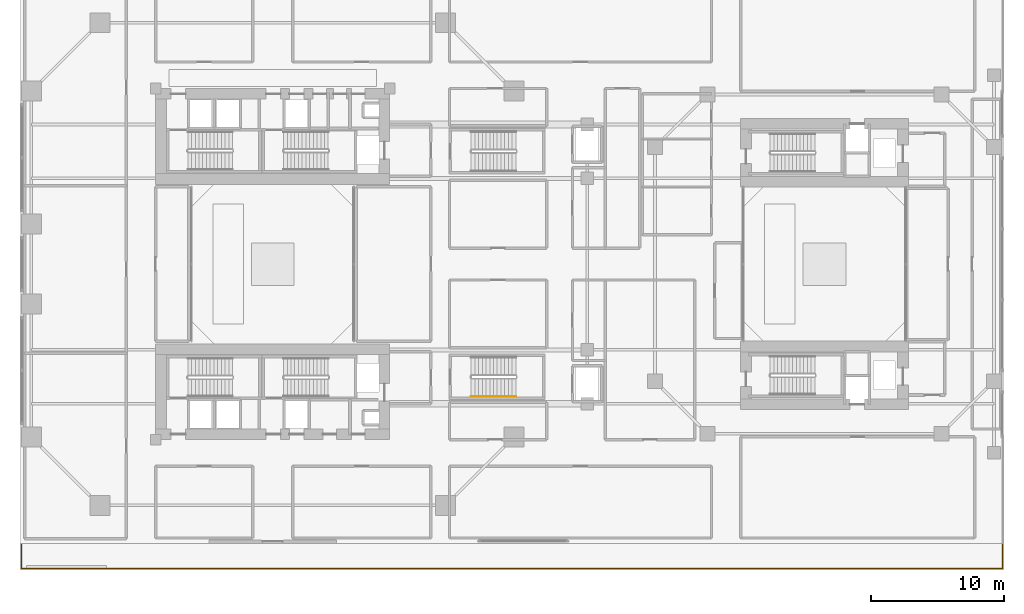
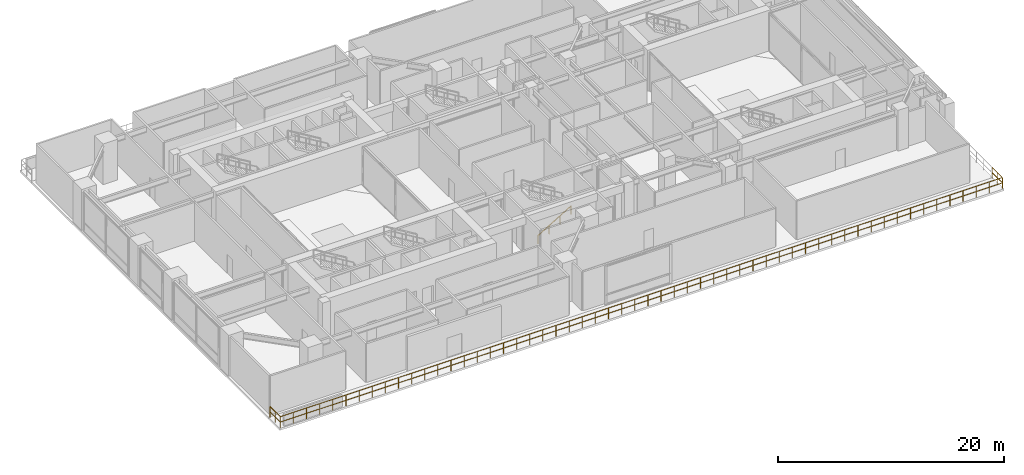
# One storey, part 17 of 19: 2 railings.
"""IFC4 building model written with IfcOpenShell, lengths in metres."""

from ifc_helpers import new_model, si_unit, direction, frame, origin, origin_2d, place, context, subcontext, project, spatial, rectangle, extrude, material, type_object, element, save


model = new_model("IFC4")

# Units and contexts
model_context = context("Model", 3, precision=1e-05, world=origin(), true_north=direction((0.0, 1.0)))
body_context = subcontext(model_context, "Body", "Model", "MODEL_VIEW")
ifc_project = project(units=[si_unit("LENGTHUNIT", "METRE"), si_unit("AREAUNIT", "SQUARE_METRE"), si_unit("VOLUMEUNIT", "CUBIC_METRE"), si_unit("PLANEANGLEUNIT", "RADIAN"), si_unit("MASSUNIT", "GRAM", prefix="KILO"), si_unit("THERMODYNAMICTEMPERATUREUNIT", "KELVIN"), si_unit("POWERUNIT", "WATT")], contexts=[model_context])

# Site, building, storey
site_placement = place(None, origin())
site = spatial("IfcSite", under=ifc_project, at=site_placement, CompositionType="ELEMENT")
building_placement = place(site_placement, origin())
building = spatial("IfcBuilding", under=site, at=building_placement, Name="Qiaomeng Ring Towers", CompositionType="ELEMENT")
storey_placement = place(building_placement, frame((0.0, 0.0, 5.0)))
storey = spatial("IfcBuildingStorey", under=building, at=storey_placement, Name="L01", CompositionType="ELEMENT", Elevation=5.0)

# Railings
ifc_material_1 = material(Name="Low-E pale-green laminated safety glass", Category="glass")
railing_type_1 = type_object("IfcRailingType", Name="ARC-RL-BAL1", PredefinedType="BALUSTRADE", material=ifc_material_1)
railing_1_placement = place(storey_placement, frame((0.10009765625, 1.919921875, 0.0)))
element("IfcRailing", 1, at=railing_1_placement, inside=storey, type_object=railing_type_1, Name="L01 Balustrade ARC-BAL-L01-POD-S", PredefinedType="BALUSTRADE", context=body_context, shape_type="SweptSolid", body=[
    extrude(rectangle(XDim=0.048095703125, YDim=0.048095703125, at=origin_2d()), frame((0.0, 0.0, 1.17578125), z_axis=(0.0, -1.0, 0.0), x_axis=(1.0, 0.0, 0.0)), (0.0, 0.0, 1.0), 1.81982421875),
    extrude(rectangle(XDim=0.048095703125, YDim=0.048095703125, at=origin_2d()), frame((0.0, 0.0, 0.60009765625), z_axis=(0.0, -1.0, 0.0), x_axis=(1.0, 0.0, 0.0)), (0.0, 0.0, 1.0), 1.81982421875),
    extrude(rectangle(XDim=0.048095703125, YDim=0.048095703125, at=origin_2d()), frame((0.0, -1.81982421875, 1.17578125), z_axis=(1.0, 0.0, 0.0), x_axis=(0.0, 1.0, 0.0)), (0.0, 0.0, 1.0), 73.7998046875),
    extrude(rectangle(XDim=0.048095703125, YDim=0.048095703125, at=origin_2d()), frame((0.0, -1.81982421875, 0.60009765625), z_axis=(1.0, 0.0, 0.0), x_axis=(0.0, 1.0, 0.0)), (0.0, 0.0, 1.0), 73.7998046875),
    extrude(rectangle(XDim=0.048095703125, YDim=0.048095703125, at=origin_2d()), frame((73.7998046875, -1.81982421875, 1.17578125), z_axis=(0.0, 1.0, 0.0), x_axis=(-1.0, 0.0, 0.0)), (0.0, 0.0, 1.0), 1.81982421875),
    extrude(rectangle(XDim=0.048095703125, YDim=0.048095703125, at=origin_2d()), frame((73.7998046875, -1.81982421875, 0.60009765625), z_axis=(0.0, 1.0, 0.0), x_axis=(-1.0, 0.0, 0.0)), (0.0, 0.0, 1.0), 1.81982421875),
    extrude(rectangle(XDim=0.0419921875, YDim=0.0419921875, at=origin_2d()), origin(), (0.0, 0.0, 1.0), 1.15185546875),
    extrude(rectangle(XDim=0.0419921875, YDim=0.0419921875, at=origin_2d()), frame((0.0, -0.909912109375, 0.0)), (0.0, 0.0, 1.0), 1.15185546875),
    extrude(rectangle(XDim=0.0419921875, YDim=0.0419921875, at=origin_2d()), frame((0.0, -1.81982421875, 0.0)), (0.0, 0.0, 1.0), 1.15185546875),
    extrude(rectangle(XDim=0.0419921875, YDim=0.0419921875, at=origin_2d()), frame((1.341796875, -1.81982421875, 0.0)), (0.0, 0.0, 1.0), 1.15185546875),
    extrude(rectangle(XDim=0.0419921875, YDim=0.0419921875, at=origin_2d()), frame((2.68359375, -1.81982421875, 0.0)), (0.0, 0.0, 1.0), 1.15185546875),
    extrude(rectangle(XDim=0.0419921875, YDim=0.0419921875, at=origin_2d()), frame((4.025390625, -1.81982421875, 0.0)), (0.0, 0.0, 1.0), 1.15185546875),
    extrude(rectangle(XDim=0.0419921875, YDim=0.0419921875, at=origin_2d()), frame((5.3671875, -1.81982421875, 0.0)), (0.0, 0.0, 1.0), 1.15185546875),
    extrude(rectangle(XDim=0.0419921875, YDim=0.0419921875, at=origin_2d()), frame((6.708984375, -1.81982421875, 0.0)), (0.0, 0.0, 1.0), 1.15185546875),
    extrude(rectangle(XDim=0.0419921875, YDim=0.0419921875, at=origin_2d()), frame((8.05078125, -1.81982421875, 0.0)), (0.0, 0.0, 1.0), 1.15185546875),
    extrude(rectangle(XDim=0.0419921875, YDim=0.0419921875, at=origin_2d()), frame((9.392822265625, -1.81982421875, 0.0)), (0.0, 0.0, 1.0), 1.15185546875),
    extrude(rectangle(XDim=0.0419921875, YDim=0.0419921875, at=origin_2d()), frame((10.734619140625, -1.81982421875, 0.0)), (0.0, 0.0, 1.0), 1.15185546875),
    extrude(rectangle(XDim=0.0419921875, YDim=0.0419921875, at=origin_2d()), frame((12.076416015625, -1.81982421875, 0.0)), (0.0, 0.0, 1.0), 1.15185546875),
    extrude(rectangle(XDim=0.0419921875, YDim=0.0419921875, at=origin_2d()), frame((13.418212890625, -1.81982421875, 0.0)), (0.0, 0.0, 1.0), 1.15185546875),
    extrude(rectangle(XDim=0.0419921875, YDim=0.0419921875, at=origin_2d()), frame((14.760009765625, -1.81982421875, 0.0)), (0.0, 0.0, 1.0), 1.15185546875),
    extrude(rectangle(XDim=0.0419921875, YDim=0.0419921875, at=origin_2d()), frame((16.101806640625, -1.81982421875, 0.0)), (0.0, 0.0, 1.0), 1.15185546875),
    extrude(rectangle(XDim=0.0419921875, YDim=0.0419921875, at=origin_2d()), frame((17.443603515625, -1.81982421875, 0.0)), (0.0, 0.0, 1.0), 1.15185546875),
    extrude(rectangle(XDim=0.0419921875, YDim=0.0419921875, at=origin_2d()), frame((18.785400390625, -1.81982421875, 0.0)), (0.0, 0.0, 1.0), 1.15185546875),
    extrude(rectangle(XDim=0.0419921875, YDim=0.0419921875, at=origin_2d()), frame((20.127197265625, -1.81982421875, 0.0)), (0.0, 0.0, 1.0), 1.15185546875),
    extrude(rectangle(XDim=0.0419921875, YDim=0.0419921875, at=origin_2d()), frame((21.468994140625, -1.81982421875, 0.0)), (0.0, 0.0, 1.0), 1.15185546875),
    extrude(rectangle(XDim=0.0419921875, YDim=0.0419921875, at=origin_2d()), frame((22.810791015625, -1.81982421875, 0.0)), (0.0, 0.0, 1.0), 1.15185546875),
    extrude(rectangle(XDim=0.0419921875, YDim=0.0419921875, at=origin_2d()), frame((24.152587890625, -1.81982421875, 0.0)), (0.0, 0.0, 1.0), 1.15185546875),
    extrude(rectangle(XDim=0.0419921875, YDim=0.0419921875, at=origin_2d()), frame((25.494384765625, -1.81982421875, 0.0)), (0.0, 0.0, 1.0), 1.15185546875),
    extrude(rectangle(XDim=0.0419921875, YDim=0.0419921875, at=origin_2d()), frame((26.836181640625, -1.81982421875, 0.0)), (0.0, 0.0, 1.0), 1.15185546875),
    extrude(rectangle(XDim=0.0419921875, YDim=0.0419921875, at=origin_2d()), frame((28.17822265625, -1.81982421875, 0.0)), (0.0, 0.0, 1.0), 1.15185546875),
    extrude(rectangle(XDim=0.0419921875, YDim=0.0419921875, at=origin_2d()), frame((29.52001953125, -1.81982421875, 0.0)), (0.0, 0.0, 1.0), 1.15185546875),
    extrude(rectangle(XDim=0.0419921875, YDim=0.0419921875, at=origin_2d()), frame((30.86181640625, -1.81982421875, 0.0)), (0.0, 0.0, 1.0), 1.15185546875),
    extrude(rectangle(XDim=0.0419921875, YDim=0.0419921875, at=origin_2d()), frame((32.20361328125, -1.81982421875, 0.0)), (0.0, 0.0, 1.0), 1.15185546875),
    extrude(rectangle(XDim=0.0419921875, YDim=0.0419921875, at=origin_2d()), frame((33.54541015625, -1.81982421875, 0.0)), (0.0, 0.0, 1.0), 1.15185546875),
    extrude(rectangle(XDim=0.0419921875, YDim=0.0419921875, at=origin_2d()), frame((34.88720703125, -1.81982421875, 0.0)), (0.0, 0.0, 1.0), 1.15185546875),
    extrude(rectangle(XDim=0.0419921875, YDim=0.0419921875, at=origin_2d()), frame((36.22900390625, -1.81982421875, 0.0)), (0.0, 0.0, 1.0), 1.15185546875),
    extrude(rectangle(XDim=0.0419921875, YDim=0.0419921875, at=origin_2d()), frame((37.57080078125, -1.81982421875, 0.0)), (0.0, 0.0, 1.0), 1.15185546875),
    extrude(rectangle(XDim=0.0419921875, YDim=0.0419921875, at=origin_2d()), frame((38.91259765625, -1.81982421875, 0.0)), (0.0, 0.0, 1.0), 1.15185546875),
    extrude(rectangle(XDim=0.0419921875, YDim=0.0419921875, at=origin_2d()), frame((40.25439453125, -1.81982421875, 0.0)), (0.0, 0.0, 1.0), 1.15185546875),
    extrude(rectangle(XDim=0.0419921875, YDim=0.0419921875, at=origin_2d()), frame((41.59619140625, -1.81982421875, 0.0)), (0.0, 0.0, 1.0), 1.15185546875),
    extrude(rectangle(XDim=0.0419921875, YDim=0.0419921875, at=origin_2d()), frame((42.93798828125, -1.81982421875, 0.0)), (0.0, 0.0, 1.0), 1.15185546875),
    extrude(rectangle(XDim=0.0419921875, YDim=0.0419921875, at=origin_2d()), frame((44.27978515625, -1.81982421875, 0.0)), (0.0, 0.0, 1.0), 1.15185546875),
    extrude(rectangle(XDim=0.0419921875, YDim=0.0419921875, at=origin_2d()), frame((45.62158203125, -1.81982421875, 0.0)), (0.0, 0.0, 1.0), 1.15185546875),
    extrude(rectangle(XDim=0.0419921875, YDim=0.0419921875, at=origin_2d()), frame((46.963623046875, -1.81982421875, 0.0)), (0.0, 0.0, 1.0), 1.15185546875),
    extrude(rectangle(XDim=0.0419921875, YDim=0.0419921875, at=origin_2d()), frame((48.305419921875, -1.81982421875, 0.0)), (0.0, 0.0, 1.0), 1.15185546875),
    extrude(rectangle(XDim=0.0419921875, YDim=0.0419921875, at=origin_2d()), frame((49.647216796875, -1.81982421875, 0.0)), (0.0, 0.0, 1.0), 1.15185546875),
    extrude(rectangle(XDim=0.0419921875, YDim=0.0419921875, at=origin_2d()), frame((50.989013671875, -1.81982421875, 0.0)), (0.0, 0.0, 1.0), 1.15185546875),
    extrude(rectangle(XDim=0.0419921875, YDim=0.0419921875, at=origin_2d()), frame((52.330810546875, -1.81982421875, 0.0)), (0.0, 0.0, 1.0), 1.15185546875),
    extrude(rectangle(XDim=0.0419921875, YDim=0.0419921875, at=origin_2d()), frame((53.672607421875, -1.81982421875, 0.0)), (0.0, 0.0, 1.0), 1.15185546875),
    extrude(rectangle(XDim=0.0419921875, YDim=0.0419921875, at=origin_2d()), frame((55.014404296875, -1.81982421875, 0.0)), (0.0, 0.0, 1.0), 1.15185546875),
    extrude(rectangle(XDim=0.0419921875, YDim=0.0419921875, at=origin_2d()), frame((56.356201171875, -1.81982421875, 0.0)), (0.0, 0.0, 1.0), 1.15185546875),
    extrude(rectangle(XDim=0.0419921875, YDim=0.0419921875, at=origin_2d()), frame((57.697998046875, -1.81982421875, 0.0)), (0.0, 0.0, 1.0), 1.15185546875),
    extrude(rectangle(XDim=0.0419921875, YDim=0.0419921875, at=origin_2d()), frame((59.039794921875, -1.81982421875, 0.0)), (0.0, 0.0, 1.0), 1.15185546875),
    extrude(rectangle(XDim=0.0419921875, YDim=0.0419921875, at=origin_2d()), frame((60.381591796875, -1.81982421875, 0.0)), (0.0, 0.0, 1.0), 1.15185546875),
    extrude(rectangle(XDim=0.0419921875, YDim=0.0419921875, at=origin_2d()), frame((61.723388671875, -1.81982421875, 0.0)), (0.0, 0.0, 1.0), 1.15185546875),
    extrude(rectangle(XDim=0.0419921875, YDim=0.0419921875, at=origin_2d()), frame((63.065185546875, -1.81982421875, 0.0)), (0.0, 0.0, 1.0), 1.15185546875),
    extrude(rectangle(XDim=0.0419921875, YDim=0.0419921875, at=origin_2d()), frame((64.406982421875, -1.81982421875, 0.0)), (0.0, 0.0, 1.0), 1.15185546875),
    extrude(rectangle(XDim=0.0419921875, YDim=0.0419921875, at=origin_2d()), frame((65.7490234375, -1.81982421875, 0.0)), (0.0, 0.0, 1.0), 1.15185546875),
    extrude(rectangle(XDim=0.0419921875, YDim=0.0419921875, at=origin_2d()), frame((67.0908203125, -1.81982421875, 0.0)), (0.0, 0.0, 1.0), 1.15185546875),
    extrude(rectangle(XDim=0.0419921875, YDim=0.0419921875, at=origin_2d()), frame((68.4326171875, -1.81982421875, 0.0)), (0.0, 0.0, 1.0), 1.15185546875),
    extrude(rectangle(XDim=0.0419921875, YDim=0.0419921875, at=origin_2d()), frame((69.7744140625, -1.81982421875, 0.0)), (0.0, 0.0, 1.0), 1.15185546875),
    extrude(rectangle(XDim=0.0419921875, YDim=0.0419921875, at=origin_2d()), frame((71.1162109375, -1.81982421875, 0.0)), (0.0, 0.0, 1.0), 1.15185546875),
    extrude(rectangle(XDim=0.0419921875, YDim=0.0419921875, at=origin_2d()), frame((72.4580078125, -1.81982421875, 0.0)), (0.0, 0.0, 1.0), 1.15185546875),
    extrude(rectangle(XDim=0.0419921875, YDim=0.0419921875, at=origin_2d()), frame((73.7998046875, -1.81982421875, 0.0)), (0.0, 0.0, 1.0), 1.15185546875),
    extrude(rectangle(XDim=0.0419921875, YDim=0.0419921875, at=origin_2d()), frame((73.7998046875, -0.909912109375, 0.0)), (0.0, 0.0, 1.0), 1.15185546875),
    extrude(rectangle(XDim=0.0419921875, YDim=0.0419921875, at=origin_2d()), frame((73.7998046875, 0.0, 0.0)), (0.0, 0.0, 1.0), 1.15185546875),
])
ifc_material_2 = material(Name="Stainless steel 316", Category="steel")
railing_type_2 = type_object("IfcRailingType", Name="ARC-RL-HAND", PredefinedType="HANDRAIL", material=ifc_material_2)
railing_2_placement = place(storey_placement, frame((33.929931640625, 13.050048828125, 0.169189453125)))
element("IfcRailing", 2, at=railing_2_placement, inside=storey, type_object=railing_type_2, Name="L01 ST8 stair handrail 1", PredefinedType="HANDRAIL", context=body_context, shape_type="SweptSolid", body=[
    extrude(rectangle(XDim=0.048095703125, YDim=0.048095703125, at=origin_2d()), frame((0.0, 0.0, 0.8759765625), z_axis=(0.855836976705, 0.0, 0.517245656632), x_axis=(0.0, 1.0, 0.0)), (0.0, 0.0, 1.0), 3.926025390625),
    extrude(rectangle(XDim=0.0419921875, YDim=0.0419921875, at=origin_2d()), origin(), (0.0, 0.0, 1.0), 0.851806640625),
    extrude(rectangle(XDim=0.0419921875, YDim=0.0419921875, at=origin_2d()), frame((1.1201171875, 0.0, 0.677001953125)), (0.0, 0.0, 1.0), 0.851806640625),
    extrude(rectangle(XDim=0.0419921875, YDim=0.0419921875, at=origin_2d()), frame((2.239990234375, 0.0, 1.353759765625)), (0.0, 0.0, 1.0), 0.851806640625),
    extrude(rectangle(XDim=0.0419921875, YDim=0.0419921875, at=origin_2d()), frame((3.360107421875, 0.0, 2.03076171875)), (0.0, 0.0, 1.0), 0.851806640625),
])

save(model, "model.ifc")
